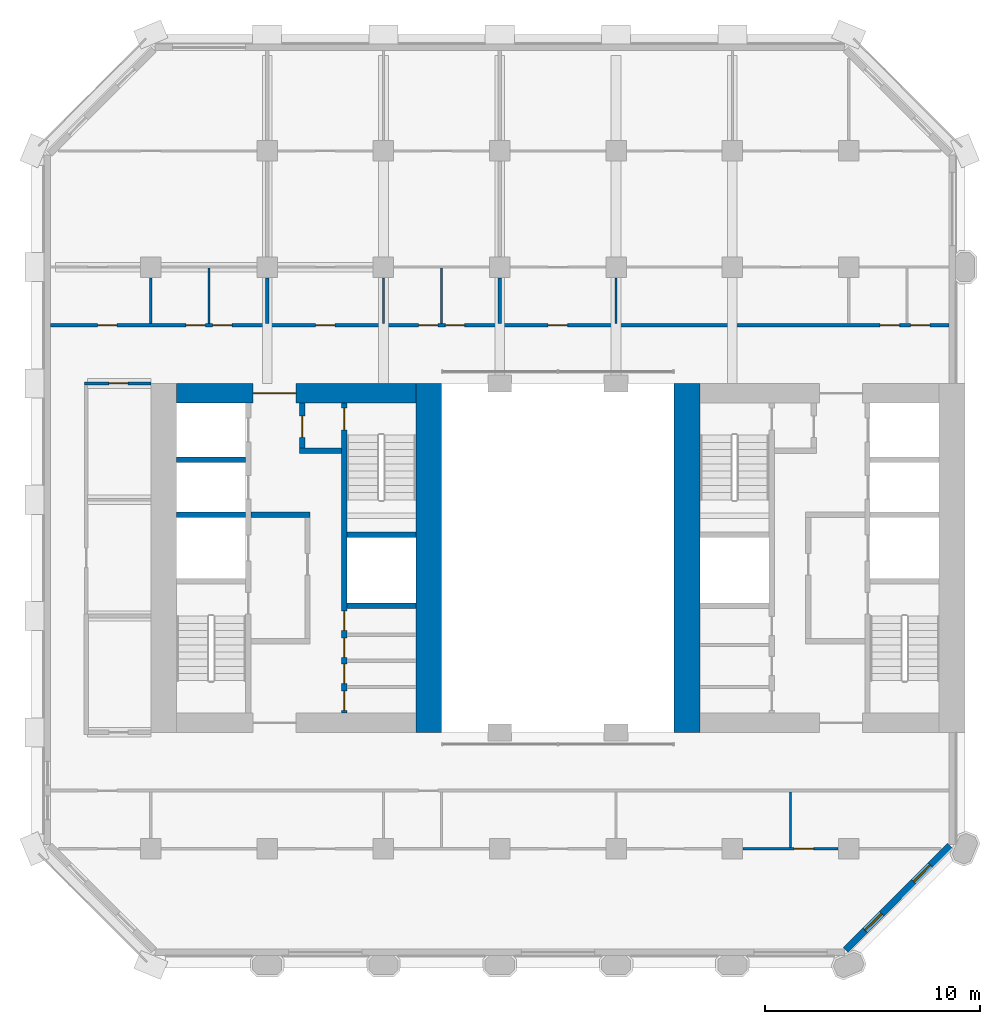
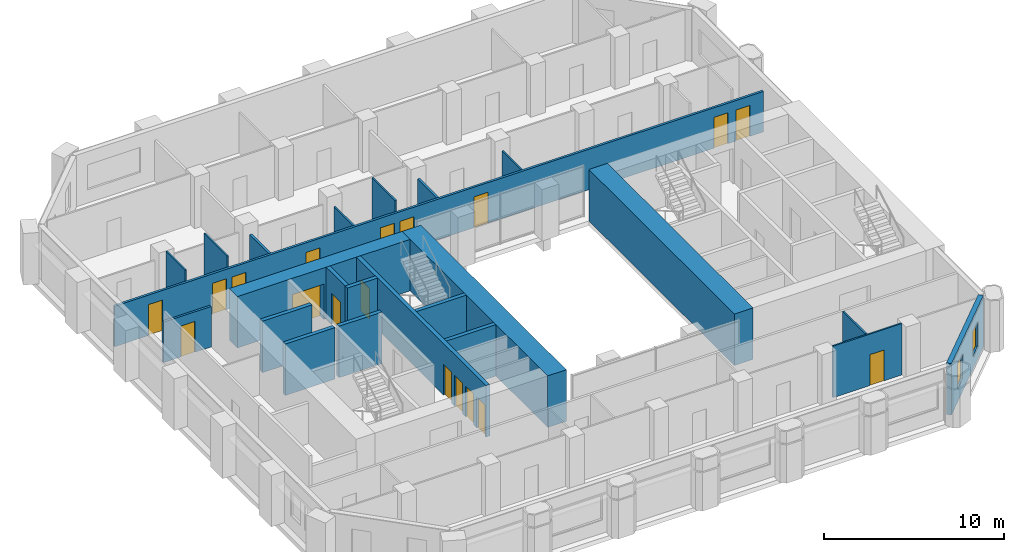
# One storey, part 7 of 12: 23 walls, 18 doors, 2 windows, 20 openings.
"""IFC4 building model written with IfcOpenShell, lengths in metres."""

from ifc_helpers import new_model, si_unit, direction, frame, frame_2d, origin, place, context, subcontext, project, spatial, rectangle, extrude, material, layer, layer_set, type_object, element, fill, save


model = new_model("IFC4")

# Units and contexts
model_context = context("Model", 3, precision=1e-05, world=origin(), true_north=direction((0.0, 1.0)))
body_context = subcontext(model_context, "Body", "Model", "MODEL_VIEW")
ifc_project = project(units=[si_unit("LENGTHUNIT", "METRE"), si_unit("AREAUNIT", "SQUARE_METRE"), si_unit("VOLUMEUNIT", "CUBIC_METRE"), si_unit("PLANEANGLEUNIT", "RADIAN"), si_unit("MASSUNIT", "GRAM", prefix="KILO")], contexts=[model_context])

# Site, building, storey
site_placement = place(None, origin())
site = spatial("IfcSite", under=ifc_project, at=site_placement, CompositionType="ELEMENT")
building_placement = place(site_placement, origin())
building = spatial("IfcBuilding", under=site, at=building_placement, Name="Tabaq Tower and Sports Hall", CompositionType="ELEMENT")
storey_placement = place(building_placement, frame((0.0, 0.0, 99.199951171875)))
storey = spatial("IfcBuildingStorey", under=building, at=storey_placement, Name="L23", CompositionType="ELEMENT", Elevation=99.199951171875)

# Walls
ifc_material_1 = material(Name="Concrete C60/75", Category="concrete")
ifc_layer_1 = layer(ifc_material_1, 1.199951171875)
ifc_layer_set_1 = layer_set([ifc_layer_1], Name="Core wall 1200 Concrete C60/75")
wall_type_1 = type_object("IfcWallType", Name="Core wall 1200 Concrete C60/75", PredefinedType="SOLIDWALL", material=ifc_layer_set_1)
for number, where, z_axis, x_axis, name in (
    (1, (18.300048828125, 32.39990234375, 0.0), (0.0, 0.0, 1.0), (0.0, -1.0, 0.0), "Core wall W L23"),
    (2, (30.300048828125, 16.199951171875, 0.0), (0.0, 0.0, 1.0), (0.0, 1.0, 0.0), "Core wall E L23"),
):
    element("IfcWall", number, at=place(storey_placement, frame(where, z_axis=z_axis, x_axis=x_axis)), inside=storey, type_object=wall_type_1, Name=name, PredefinedType="SOLIDWALL", context=body_context, shape_type="SweptSolid", body=[
        extrude(rectangle(XDim=16.199951171875, YDim=1.199951171875, at=frame_2d((8.10009765625, 0.0))), origin(), (0.0, 0.0, 1.0), 3.5),
    ])

# Wall, opening, door
ifc_material_2 = material(Name="Concrete C60/75", Category="concrete")
ifc_layer_2 = layer(ifc_material_2, 0.89990234375)
ifc_layer_set_2 = layer_set([ifc_layer_2], Name="Core wall 900 Concrete C60/75")
wall_type_2 = type_object("IfcWallType", Name="Core wall 900 Concrete C60/75", PredefinedType="SOLIDWALL", material=ifc_layer_set_2)
wall_1_placement = place(storey_placement, frame((6.60009765625, 31.949951171875, 0.0), z_axis=(0.0, 0.0, 1.0), x_axis=(1.0, 0.0, 0.0)))
wall_1 = element("IfcWall", 3, at=wall_1_placement, inside=storey, type_object=wall_type_2, Name="Core wall W L23", PredefinedType="SOLIDWALL", context=body_context, shape_type="SweptSolid", body=[
    extrude(rectangle(XDim=11.099853515625, YDim=0.89990234375, at=frame_2d((5.5498046875, 0.0))), origin(), (0.0, 0.0, 1.0), 3.5),
])
opening_1_placement = place(wall_1_placement, frame((3.550048828125, 0.0, 0.0)))
opening_1 = element("IfcOpeningElement", 4, at=opening_1_placement, cuts=wall_1, Name="Opening PD-WL23-02", PredefinedType="OPENING", context=body_context, shape_type="SweptSolid", body=[
    extrude(rectangle(XDim=2.0, YDim=2.39990234375, at=frame_2d((1.0, 1.199951171875))), frame((0.0, 0.449951171875, 0.0), z_axis=(0.0, -1.0, 0.0), x_axis=(1.0, 0.0, 0.0)), (0.0, 0.0, 1.0), 0.89990234375),
])
ifc_material_3 = material(Name="Steel fire door", Category="steel")
door_type_1 = type_object("IfcDoorType", Name="Core entrance door 2000", OperationType="DOUBLE_DOOR_SINGLE_SWING", PredefinedType="DOOR", material=ifc_material_3)
door_1_placement = place(opening_1_placement, origin())
door_1 = element("IfcDoor", 5, at=door_1_placement, inside=storey, type_object=door_type_1, Name="Core entrance north W L23", OperationType="DOUBLE_DOOR_SINGLE_SWING", OverallHeight=2.39990234375, OverallWidth=2.0, PredefinedType="DOOR", context=body_context, shape_type="SweptSolid", body=[
    extrude(rectangle(XDim=2.0, YDim=2.39990234375, at=frame_2d((1.0, 1.199951171875))), frame((0.0, 0.02490234375, 0.0), z_axis=(0.0, -1.0, 0.0), x_axis=(1.0, 0.0, 0.0)), (0.0, 0.0, 1.0), 0.050048828125),
])
fill(opening_1, door_1)

# Walls
ifc_material_4 = material(Name="Gypsum board on steel studs", Category="steel")
ifc_layer_3 = layer(ifc_material_4, 0.10009765625)
ifc_layer_set_3 = layer_set([ifc_layer_3], Name="Partition 100 Gypsum board")
wall_type_3 = type_object("IfcWallType", Name="Partition 100 Gypsum board", PredefinedType="PARTITIONING", material=ifc_layer_set_3)
wall_2_placement = place(storey_placement, frame((5.39990234375, 37.304931640625, 0.0), z_axis=(0.0, 0.0, 1.0), x_axis=(0.0, -1.0, 0.0)))
element("IfcWall", 6, at=wall_2_placement, inside=storey, type_object=wall_type_3, Name="Partition wall L23", PredefinedType="PARTITIONING", context=body_context, shape_type="SweptSolid", body=[
    extrude(rectangle(XDim=2.1298828125, YDim=0.10009765625, at=frame_2d((1.06494140625, 0.0))), origin(), (0.0, 0.0, 1.0), 3.5),
])
wall_3_placement = place(storey_placement, frame((8.10009765625, 35.175048828125, 0.0), z_axis=(0.0, 0.0, 1.0), x_axis=(0.0, 1.0, 0.0)))
element("IfcWall", 7, at=wall_3_placement, inside=storey, type_object=wall_type_3, Name="Partition wall L23", PredefinedType="PARTITIONING", context=body_context, shape_type="SweptSolid", body=[
    extrude(rectangle(XDim=2.574951171875, YDim=0.10009765625, at=frame_2d((1.28759765625, 0.0))), origin(), (0.0, 0.0, 1.0), 3.5),
])
wall_4_placement = place(storey_placement, frame((16.199951171875, 35.175048828125, 0.0), z_axis=(0.0, 0.0, 1.0), x_axis=(0.0, 1.0, 0.0)))
element("IfcWall", 8, at=wall_4_placement, inside=storey, type_object=wall_type_3, Name="Partition wall L23", PredefinedType="PARTITIONING", context=body_context, shape_type="SweptSolid", body=[
    extrude(rectangle(XDim=2.1298828125, YDim=0.10009765625, at=frame_2d((1.06494140625, 0.0))), origin(), (0.0, 0.0, 1.0), 2.75),
])
wall_5_placement = place(storey_placement, frame((18.89990234375, 35.175048828125, 0.0), z_axis=(0.0, 0.0, 1.0), x_axis=(0.0, 1.0, 0.0)))
element("IfcWall", 9, at=wall_5_placement, inside=storey, type_object=wall_type_3, Name="Partition wall L23", PredefinedType="PARTITIONING", context=body_context, shape_type="SweptSolid", body=[
    extrude(rectangle(XDim=2.574951171875, YDim=0.10009765625, at=frame_2d((1.28759765625, 0.0))), origin(), (0.0, 0.0, 1.0), 3.5),
])
wall_6_placement = place(storey_placement, frame((27.0, 35.175048828125, 0.0), z_axis=(0.0, 0.0, 1.0), x_axis=(0.0, 1.0, 0.0)))
element("IfcWall", 10, at=wall_6_placement, inside=storey, type_object=wall_type_3, Name="Partition wall L23", PredefinedType="PARTITIONING", context=body_context, shape_type="SweptSolid", body=[
    extrude(rectangle(XDim=2.1298828125, YDim=0.10009765625, at=frame_2d((1.06494140625, 0.0))), origin(), (0.0, 0.0, 1.0), 2.75),
])
wall_7_placement = place(storey_placement, frame((35.10009765625, 10.85009765625, 0.0), z_axis=(0.0, 0.0, 1.0), x_axis=(0.0, 1.0, 0.0)))
element("IfcWall", 11, at=wall_7_placement, inside=storey, type_object=wall_type_3, Name="Partition wall L23", PredefinedType="PARTITIONING", context=body_context, shape_type="SweptSolid", body=[
    extrude(rectangle(XDim=2.574951171875, YDim=0.10009765625, at=frame_2d((1.28759765625, 0.0))), origin(), (0.0, 0.0, 1.0), 3.5),
])

# Wall, opening, door
wall_8_placement = place(storey_placement, frame((32.89501953125, 10.800048828125, 0.0), z_axis=(0.0, 0.0, 1.0), x_axis=(1.0, 0.0, 0.0)))
wall_8 = element("IfcWall", 12, at=wall_8_placement, inside=storey, type_object=wall_type_3, Name="Partition wall L23", PredefinedType="PARTITIONING", context=body_context, shape_type="SweptSolid", body=[
    extrude(rectangle(XDim=4.409912109375, YDim=0.10009765625, at=frame_2d((2.205078125, 0.0))), origin(), (0.0, 0.0, 1.0), 3.5),
])
opening_2_placement = place(wall_8_placement, frame((2.375, 0.0, 0.0)))
opening_2 = element("IfcOpeningElement", 13, at=opening_2_placement, cuts=wall_8, Name="Opening L23-021", PredefinedType="OPENING", context=body_context, shape_type="SweptSolid", body=[
    extrude(rectangle(XDim=0.89990234375, YDim=2.10009765625, at=frame_2d((0.449951171875, 1.050048828125))), frame((0.0, 0.050048828125, 0.0), z_axis=(0.0, -1.0, 0.0), x_axis=(1.0, 0.0, 0.0)), (0.0, 0.0, 1.0), 0.10009765625),
])
ifc_material_5 = material(Name="Timber leaf in steel frame", Category="steel")
door_type_2 = type_object("IfcDoorType", Name="Internal door 900 right hand", OperationType="SINGLE_SWING_RIGHT", PredefinedType="DOOR", material=ifc_material_5)
door_2_placement = place(opening_2_placement, origin())
door_2 = element("IfcDoor", 14, at=door_2_placement, inside=storey, type_object=door_type_2, Name="Internal door L23-021", OperationType="SINGLE_SWING_RIGHT", OverallHeight=2.10009765625, OverallWidth=0.89990234375, PredefinedType="DOOR", context=body_context, shape_type="SweptSolid", body=[
    extrude(rectangle(XDim=0.89990234375, YDim=2.10009765625, at=frame_2d((0.449951171875, 1.050048828125))), frame((0.0, 0.02490234375, 0.0), z_axis=(0.0, -1.0, 0.0), x_axis=(1.0, 0.0, 0.0)), (0.0, 0.0, 1.0), 0.050048828125),
])
fill(opening_2, door_2)

ifc_material_6 = material(Name="Blockwork", Category="masonry")
ifc_layer_4 = layer(ifc_material_6, 0.14990234375)
ifc_layer_set_4 = layer_set([ifc_layer_4], Name="Separating wall 150 Blockwork")
wall_type_4 = type_object("IfcWallType", Name="Separating wall 150 Blockwork", PredefinedType="PARTITIONING", material=ifc_layer_set_4)
wall_9_placement = place(storey_placement, frame((5.39990234375, 32.39990234375, 0.0), z_axis=(0.0, 0.0, 1.0), x_axis=(-1.0, 0.0, 0.0)))
wall_9 = element("IfcWall", 15, at=wall_9_placement, inside=storey, type_object=wall_type_4, Name="Separating wall L23", PredefinedType="PARTITIONING", context=body_context, shape_type="SweptSolid", body=[
    extrude(rectangle(XDim=3.074951171875, YDim=0.14990234375, at=frame_2d((1.53759765625, 0.0))), origin(), (0.0, 0.0, 1.0), 2.75),
])
opening_3_placement = place(wall_9_placement, frame((1.050048828125, 0.0, 0.0)))
opening_3 = element("IfcOpeningElement", 16, at=opening_3_placement, cuts=wall_9, Name="Opening L23-010", PredefinedType="OPENING", context=body_context, shape_type="SweptSolid", body=[
    extrude(rectangle(XDim=0.89990234375, YDim=2.10009765625, at=frame_2d((0.449951171875, 1.050048828125))), frame((0.0, 0.074951171875, 0.0), z_axis=(0.0, -1.0, 0.0), x_axis=(1.0, 0.0, 0.0)), (0.0, 0.0, 1.0), 0.14990234375),
])
door_3_placement = place(opening_3_placement, origin())
door_3 = element("IfcDoor", 17, at=door_3_placement, inside=storey, type_object=door_type_2, Name="Internal door L23-010", OperationType="SINGLE_SWING_RIGHT", OverallHeight=2.10009765625, OverallWidth=0.89990234375, PredefinedType="DOOR", context=body_context, shape_type="SweptSolid", body=[
    extrude(rectangle(XDim=0.89990234375, YDim=2.10009765625, at=frame_2d((0.449951171875, 1.050048828125))), frame((0.0, 0.02490234375, 0.0), z_axis=(0.0, -1.0, 0.0), x_axis=(1.0, 0.0, 0.0)), (0.0, 0.0, 1.0), 0.050048828125),
])
fill(opening_3, door_3)

# Wall, openings, doors
wall_10_placement = place(storey_placement, frame((0.7509765625, 35.10009765625, 0.0), z_axis=(0.0, 0.0, 1.0), x_axis=(1.0, 0.0, 0.0)))
wall_10 = element("IfcWall", 18, at=wall_10_placement, inside=storey, type_object=wall_type_4, Name="Separating wall L23", PredefinedType="PARTITIONING", context=body_context, shape_type="SweptSolid", body=[
    extrude(rectangle(XDim=41.697998046875, YDim=0.14990234375, at=frame_2d((20.84912109375, 0.0))), origin(), (0.0, 0.0, 1.0), 2.75),
])
opening_4_placement = place(wall_10_placement, frame((6.279052734375, 0.0, 0.0)))
opening_4 = element("IfcOpeningElement", 19, at=opening_4_placement, cuts=wall_10, Name="Opening L23-001", PredefinedType="OPENING", context=body_context, shape_type="SweptSolid", body=[
    extrude(rectangle(XDim=0.89990234375, YDim=2.10009765625, at=frame_2d((0.449951171875, 1.050048828125))), frame((0.0, 0.074951171875, 0.0), z_axis=(0.0, -1.0, 0.0), x_axis=(1.0, 0.0, 0.0)), (0.0, 0.0, 1.0), 0.14990234375),
])
opening_5_placement = place(wall_10_placement, frame((7.51904296875, 0.0, 0.0)))
opening_5 = element("IfcOpeningElement", 20, at=opening_5_placement, cuts=wall_10, Name="Opening L23-002", PredefinedType="OPENING", context=body_context, shape_type="SweptSolid", body=[
    extrude(rectangle(XDim=0.89990234375, YDim=2.10009765625, at=frame_2d((0.449951171875, 1.050048828125))), frame((0.0, 0.074951171875, 0.0), z_axis=(0.0, -1.0, 0.0), x_axis=(1.0, 0.0, 0.0)), (0.0, 0.0, 1.0), 0.14990234375),
])
opening_6_placement = place(wall_10_placement, frame((17.0791015625, 0.0, 0.0)))
opening_6 = element("IfcOpeningElement", 21, at=opening_6_placement, cuts=wall_10, Name="Opening L23-003", PredefinedType="OPENING", context=body_context, shape_type="SweptSolid", body=[
    extrude(rectangle(XDim=0.89990234375, YDim=2.10009765625, at=frame_2d((0.449951171875, 1.050048828125))), frame((0.0, 0.074951171875, 0.0), z_axis=(0.0, -1.0, 0.0), x_axis=(1.0, 0.0, 0.0)), (0.0, 0.0, 1.0), 0.14990234375),
])
opening_7_placement = place(wall_10_placement, frame((18.319091796875, 0.0, 0.0)))
opening_7 = element("IfcOpeningElement", 22, at=opening_7_placement, cuts=wall_10, Name="Opening L23-004", PredefinedType="OPENING", context=body_context, shape_type="SweptSolid", body=[
    extrude(rectangle(XDim=0.89990234375, YDim=2.10009765625, at=frame_2d((0.449951171875, 1.050048828125))), frame((0.0, 0.074951171875, 0.0), z_axis=(0.0, -1.0, 0.0), x_axis=(1.0, 0.0, 0.0)), (0.0, 0.0, 1.0), 0.14990234375),
])
opening_8_placement = place(wall_10_placement, frame((38.511474609375, 0.0, 0.0)))
opening_8 = element("IfcOpeningElement", 23, at=opening_8_placement, cuts=wall_10, Name="Opening L23-005", PredefinedType="OPENING", context=body_context, shape_type="SweptSolid", body=[
    extrude(rectangle(XDim=0.89990234375, YDim=2.10009765625, at=frame_2d((0.449951171875, 1.050048828125))), frame((0.0, 0.074951171875, 0.0), z_axis=(0.0, -1.0, 0.0), x_axis=(1.0, 0.0, 0.0)), (0.0, 0.0, 1.0), 0.14990234375),
])
opening_9_placement = place(wall_10_placement, frame((39.9189453125, 0.0, 0.0)))
opening_9 = element("IfcOpeningElement", 24, at=opening_9_placement, cuts=wall_10, Name="Opening L23-006", PredefinedType="OPENING", context=body_context, shape_type="SweptSolid", body=[
    extrude(rectangle(XDim=0.89990234375, YDim=2.10009765625, at=frame_2d((0.449951171875, 1.050048828125))), frame((0.0, 0.074951171875, 0.0), z_axis=(0.0, -1.0, 0.0), x_axis=(1.0, 0.0, 0.0)), (0.0, 0.0, 1.0), 0.14990234375),
])
opening_10_placement = place(wall_10_placement, frame((2.173583984375, 0.0, 0.0)))
opening_10 = element("IfcOpeningElement", 25, at=opening_10_placement, cuts=wall_10, Name="Opening L23-022", PredefinedType="OPENING", context=body_context, shape_type="SweptSolid", body=[
    extrude(rectangle(XDim=0.89990234375, YDim=2.10009765625, at=frame_2d((0.449951171875, 1.050048828125))), frame((0.0, 0.074951171875, 0.0), z_axis=(0.0, -1.0, 0.0), x_axis=(1.0, 0.0, 0.0)), (0.0, 0.0, 1.0), 0.14990234375),
])
opening_11_placement = place(wall_10_placement, frame((12.299072265625, 0.0, 0.0)))
opening_11 = element("IfcOpeningElement", 26, at=opening_11_placement, cuts=wall_10, Name="Opening L23-023", PredefinedType="OPENING", context=body_context, shape_type="SweptSolid", body=[
    extrude(rectangle(XDim=0.89990234375, YDim=2.10009765625, at=frame_2d((0.449951171875, 1.050048828125))), frame((0.0, 0.074951171875, 0.0), z_axis=(0.0, -1.0, 0.0), x_axis=(1.0, 0.0, 0.0)), (0.0, 0.0, 1.0), 0.14990234375),
])
opening_12_placement = place(wall_10_placement, frame((23.09912109375, 0.0, 0.0)))
opening_12 = element("IfcOpeningElement", 27, at=opening_12_placement, cuts=wall_10, Name="Opening L23-024", PredefinedType="OPENING", context=body_context, shape_type="SweptSolid", body=[
    extrude(rectangle(XDim=0.89990234375, YDim=2.10009765625, at=frame_2d((0.449951171875, 1.050048828125))), frame((0.0, 0.074951171875, 0.0), z_axis=(0.0, -1.0, 0.0), x_axis=(1.0, 0.0, 0.0)), (0.0, 0.0, 1.0), 0.14990234375),
])
ifc_material_7 = material(Name="Steel fire door", Category="steel")
door_type_3 = type_object("IfcDoorType", Name="Entrance door 900 left hand", OperationType="SINGLE_SWING_LEFT", PredefinedType="DOOR", material=ifc_material_7)
door_4_placement = place(opening_4_placement, origin())
door_4 = element("IfcDoor", 28, at=door_4_placement, inside=storey, type_object=door_type_3, Name="Entrance door L23-001", OperationType="SINGLE_SWING_LEFT", OverallHeight=2.10009765625, OverallWidth=0.89990234375, PredefinedType="DOOR", context=body_context, shape_type="SweptSolid", body=[
    extrude(rectangle(XDim=0.89990234375, YDim=2.10009765625, at=frame_2d((0.449951171875, 1.050048828125))), frame((0.0, 0.02490234375, 0.0), z_axis=(0.0, -1.0, 0.0), x_axis=(1.0, 0.0, 0.0)), (0.0, 0.0, 1.0), 0.050048828125),
])
fill(opening_4, door_4)
door_5_placement = place(opening_5_placement, origin())
door_5 = element("IfcDoor", 29, at=door_5_placement, inside=storey, type_object=door_type_3, Name="Entrance door L23-002", OperationType="SINGLE_SWING_LEFT", OverallHeight=2.10009765625, OverallWidth=0.89990234375, PredefinedType="DOOR", context=body_context, shape_type="SweptSolid", body=[
    extrude(rectangle(XDim=0.89990234375, YDim=2.10009765625, at=frame_2d((0.449951171875, 1.050048828125))), frame((0.0, 0.02490234375, 0.0), z_axis=(0.0, -1.0, 0.0), x_axis=(1.0, 0.0, 0.0)), (0.0, 0.0, 1.0), 0.050048828125),
])
fill(opening_5, door_5)
door_6_placement = place(opening_6_placement, origin())
door_6 = element("IfcDoor", 30, at=door_6_placement, inside=storey, type_object=door_type_3, Name="Entrance door L23-003", OperationType="SINGLE_SWING_LEFT", OverallHeight=2.10009765625, OverallWidth=0.89990234375, PredefinedType="DOOR", context=body_context, shape_type="SweptSolid", body=[
    extrude(rectangle(XDim=0.89990234375, YDim=2.10009765625, at=frame_2d((0.449951171875, 1.050048828125))), frame((0.0, 0.02490234375, 0.0), z_axis=(0.0, -1.0, 0.0), x_axis=(1.0, 0.0, 0.0)), (0.0, 0.0, 1.0), 0.050048828125),
])
fill(opening_6, door_6)
door_7_placement = place(opening_7_placement, origin())
door_7 = element("IfcDoor", 31, at=door_7_placement, inside=storey, type_object=door_type_3, Name="Entrance door L23-004", OperationType="SINGLE_SWING_LEFT", OverallHeight=2.10009765625, OverallWidth=0.89990234375, PredefinedType="DOOR", context=body_context, shape_type="SweptSolid", body=[
    extrude(rectangle(XDim=0.89990234375, YDim=2.10009765625, at=frame_2d((0.449951171875, 1.050048828125))), frame((0.0, 0.02490234375, 0.0), z_axis=(0.0, -1.0, 0.0), x_axis=(1.0, 0.0, 0.0)), (0.0, 0.0, 1.0), 0.050048828125),
])
fill(opening_7, door_7)
door_8_placement = place(opening_8_placement, origin())
door_8 = element("IfcDoor", 32, at=door_8_placement, inside=storey, type_object=door_type_3, Name="Entrance door L23-005", OperationType="SINGLE_SWING_LEFT", OverallHeight=2.10009765625, OverallWidth=0.89990234375, PredefinedType="DOOR", context=body_context, shape_type="SweptSolid", body=[
    extrude(rectangle(XDim=0.89990234375, YDim=2.10009765625, at=frame_2d((0.449951171875, 1.050048828125))), frame((0.0, 0.02490234375, 0.0), z_axis=(0.0, -1.0, 0.0), x_axis=(1.0, 0.0, 0.0)), (0.0, 0.0, 1.0), 0.050048828125),
])
fill(opening_8, door_8)
door_9_placement = place(opening_9_placement, origin())
door_9 = element("IfcDoor", 33, at=door_9_placement, inside=storey, type_object=door_type_3, Name="Entrance door L23-006", OperationType="SINGLE_SWING_LEFT", OverallHeight=2.10009765625, OverallWidth=0.89990234375, PredefinedType="DOOR", context=body_context, shape_type="SweptSolid", body=[
    extrude(rectangle(XDim=0.89990234375, YDim=2.10009765625, at=frame_2d((0.449951171875, 1.050048828125))), frame((0.0, 0.02490234375, 0.0), z_axis=(0.0, -1.0, 0.0), x_axis=(1.0, 0.0, 0.0)), (0.0, 0.0, 1.0), 0.050048828125),
])
fill(opening_9, door_9)
door_10_placement = place(opening_10_placement, origin())
door_10 = element("IfcDoor", 34, at=door_10_placement, inside=storey, type_object=door_type_3, Name="Entrance door L23-022", OperationType="SINGLE_SWING_LEFT", OverallHeight=2.10009765625, OverallWidth=0.89990234375, PredefinedType="DOOR", context=body_context, shape_type="SweptSolid", body=[
    extrude(rectangle(XDim=0.89990234375, YDim=2.10009765625, at=frame_2d((0.449951171875, 1.050048828125))), frame((0.0, 0.02490234375, 0.0), z_axis=(0.0, -1.0, 0.0), x_axis=(1.0, 0.0, 0.0)), (0.0, 0.0, 1.0), 0.050048828125),
])
fill(opening_10, door_10)
door_11_placement = place(opening_11_placement, origin())
door_11 = element("IfcDoor", 35, at=door_11_placement, inside=storey, type_object=door_type_3, Name="Entrance door L23-023", OperationType="SINGLE_SWING_LEFT", OverallHeight=2.10009765625, OverallWidth=0.89990234375, PredefinedType="DOOR", context=body_context, shape_type="SweptSolid", body=[
    extrude(rectangle(XDim=0.89990234375, YDim=2.10009765625, at=frame_2d((0.449951171875, 1.050048828125))), frame((0.0, 0.02490234375, 0.0), z_axis=(0.0, -1.0, 0.0), x_axis=(1.0, 0.0, 0.0)), (0.0, 0.0, 1.0), 0.050048828125),
])
fill(opening_11, door_11)
door_12_placement = place(opening_12_placement, origin())
door_12 = element("IfcDoor", 36, at=door_12_placement, inside=storey, type_object=door_type_3, Name="Entrance door L23-024", OperationType="SINGLE_SWING_LEFT", OverallHeight=2.10009765625, OverallWidth=0.89990234375, PredefinedType="DOOR", context=body_context, shape_type="SweptSolid", body=[
    extrude(rectangle(XDim=0.89990234375, YDim=2.10009765625, at=frame_2d((0.449951171875, 1.050048828125))), frame((0.0, 0.02490234375, 0.0), z_axis=(0.0, -1.0, 0.0), x_axis=(1.0, 0.0, 0.0)), (0.0, 0.0, 1.0), 0.050048828125),
])
fill(opening_12, door_12)

# Walls
for number, where, z_axis, x_axis, name in (
    (37, (10.800048828125, 35.175048828125, 0.0), (0.0, 0.0, 1.0), (0.0, 1.0, 0.0), "Separating wall L23"),
    (38, (21.60009765625, 35.175048828125, 0.0), (0.0, 0.0, 1.0), (0.0, 1.0, 0.0), "Separating wall L23"),
):
    element("IfcWall", number, at=place(storey_placement, frame(where, z_axis=z_axis, x_axis=x_axis)), inside=storey, type_object=wall_type_4, Name=name, PredefinedType="PARTITIONING", context=body_context, shape_type="SweptSolid", body=[
        extrude(rectangle(XDim=2.1298828125, YDim=0.14990234375, at=frame_2d((1.06494140625, 0.0))), origin(), (0.0, 0.0, 1.0), 2.75),
    ])

# Wall, openings, doors
ifc_material_8 = material(Name="Concrete C40/50", Category="concrete")
ifc_layer_5 = layer(ifc_material_8, 0.25)
ifc_layer_set_5 = layer_set([ifc_layer_5], Name="Shaft and stair wall 250 Concrete C40/50")
wall_type_5 = type_object("IfcWallType", Name="Shaft and stair wall 250 Concrete C40/50", PredefinedType="SOLIDWALL", material=ifc_layer_set_5)
wall_11_placement = place(storey_placement, frame((14.375, 17.10009765625, 0.0), z_axis=(0.0, 0.0, 1.0), x_axis=(0.0, 1.0, 0.0)))
wall_11 = element("IfcWall", 39, at=wall_11_placement, inside=storey, type_object=wall_type_5, Name="Shaft wall W L23", PredefinedType="SOLIDWALL", context=body_context, shape_type="SweptSolid", body=[
    extrude(rectangle(XDim=14.39990234375, YDim=0.25, at=frame_2d((7.199951171875, 0.0))), origin(), (0.0, 0.0, 1.0), 3.5),
])
opening_13_placement = place(wall_11_placement, frame((13.14990234375, 0.0, 0.0)))
opening_13 = element("IfcOpeningElement", 40, at=opening_13_placement, cuts=wall_11, Name="Opening SD-WL23-05", PredefinedType="OPENING", context=body_context, shape_type="SweptSolid", body=[
    extrude(rectangle(XDim=1.0, YDim=2.10009765625, at=frame_2d((0.5, 1.050048828125))), frame((0.0, 0.125, 0.0), z_axis=(0.0, -1.0, 0.0), x_axis=(1.0, 0.0, 0.0)), (0.0, 0.0, 1.0), 0.25),
])
opening_14_placement = place(wall_11_placement, frame((0.118408203125, 0.0, 0.0)))
opening_14 = element("IfcOpeningElement", 41, at=opening_14_placement, cuts=wall_11, Name="Opening RD-WL23-10", PredefinedType="OPENING", context=body_context, shape_type="SweptSolid", body=[
    extrude(rectangle(XDim=0.89990234375, YDim=2.10009765625, at=frame_2d((0.449951171875, 1.050048828125))), frame((0.0, 0.125, 0.0), z_axis=(0.0, -1.0, 0.0), x_axis=(1.0, 0.0, 0.0)), (0.0, 0.0, 1.0), 0.25),
])
opening_15_placement = place(wall_11_placement, frame((1.368408203125, 0.0, 0.0)))
opening_15 = element("IfcOpeningElement", 42, at=opening_15_placement, cuts=wall_11, Name="Opening RD-WL23-11", PredefinedType="OPENING", context=body_context, shape_type="SweptSolid", body=[
    extrude(rectangle(XDim=0.89990234375, YDim=2.10009765625, at=frame_2d((0.449951171875, 1.050048828125))), frame((0.0, 0.125, 0.0), z_axis=(0.0, -1.0, 0.0), x_axis=(1.0, 0.0, 0.0)), (0.0, 0.0, 1.0), 0.25),
])
opening_16_placement = place(wall_11_placement, frame((2.5810546875, 0.0, 0.0)))
opening_16 = element("IfcOpeningElement", 43, at=opening_16_placement, cuts=wall_11, Name="Opening RD-WL23-12", PredefinedType="OPENING", context=body_context, shape_type="SweptSolid", body=[
    extrude(rectangle(XDim=0.89990234375, YDim=2.10009765625, at=frame_2d((0.449951171875, 1.050048828125))), frame((0.0, 0.125, 0.0), z_axis=(0.0, -1.0, 0.0), x_axis=(1.0, 0.0, 0.0)), (0.0, 0.0, 1.0), 0.25),
])
opening_17_placement = place(wall_11_placement, frame((3.8310546875, 0.0, 0.0)))
opening_17 = element("IfcOpeningElement", 44, at=opening_17_placement, cuts=wall_11, Name="Opening RD-WL23-13", PredefinedType="OPENING", context=body_context, shape_type="SweptSolid", body=[
    extrude(rectangle(XDim=0.89990234375, YDim=2.10009765625, at=frame_2d((0.449951171875, 1.050048828125))), frame((0.0, 0.125, 0.0), z_axis=(0.0, -1.0, 0.0), x_axis=(1.0, 0.0, 0.0)), (0.0, 0.0, 1.0), 0.25),
])
ifc_material_9 = material(Name="Steel fire door", Category="steel")
door_type_4 = type_object("IfcDoorType", Name="Core room door 900", OperationType="SINGLE_SWING_LEFT", PredefinedType="DOOR", material=ifc_material_9)
door_13_placement = place(opening_14_placement, origin())
door_13 = element("IfcDoor", 45, at=door_13_placement, inside=storey, type_object=door_type_4, Name="Door Cleaner's Store W L23", OperationType="SINGLE_SWING_LEFT", OverallHeight=2.10009765625, OverallWidth=0.89990234375, PredefinedType="DOOR", context=body_context, shape_type="SweptSolid", body=[
    extrude(rectangle(XDim=0.89990234375, YDim=2.10009765625, at=frame_2d((0.449951171875, 1.050048828125))), frame((0.0, 0.02490234375, 0.0), z_axis=(0.0, -1.0, 0.0), x_axis=(1.0, 0.0, 0.0)), (0.0, 0.0, 1.0), 0.050048828125),
])
fill(opening_14, door_13)
door_14_placement = place(opening_15_placement, origin())
door_14 = element("IfcDoor", 46, at=door_14_placement, inside=storey, type_object=door_type_4, Name="Door Gents WC W L23", OperationType="SINGLE_SWING_LEFT", OverallHeight=2.10009765625, OverallWidth=0.89990234375, PredefinedType="DOOR", context=body_context, shape_type="SweptSolid", body=[
    extrude(rectangle(XDim=0.89990234375, YDim=2.10009765625, at=frame_2d((0.449951171875, 1.050048828125))), frame((0.0, 0.02490234375, 0.0), z_axis=(0.0, -1.0, 0.0), x_axis=(1.0, 0.0, 0.0)), (0.0, 0.0, 1.0), 0.050048828125),
])
fill(opening_15, door_14)
door_15_placement = place(opening_16_placement, origin())
door_15 = element("IfcDoor", 47, at=door_15_placement, inside=storey, type_object=door_type_4, Name="Door Ladies WC W L23", OperationType="SINGLE_SWING_LEFT", OverallHeight=2.10009765625, OverallWidth=0.89990234375, PredefinedType="DOOR", context=body_context, shape_type="SweptSolid", body=[
    extrude(rectangle(XDim=0.89990234375, YDim=2.10009765625, at=frame_2d((0.449951171875, 1.050048828125))), frame((0.0, 0.02490234375, 0.0), z_axis=(0.0, -1.0, 0.0), x_axis=(1.0, 0.0, 0.0)), (0.0, 0.0, 1.0), 0.050048828125),
])
fill(opening_16, door_15)
door_16_placement = place(opening_17_placement, origin())
door_16 = element("IfcDoor", 48, at=door_16_placement, inside=storey, type_object=door_type_4, Name="Door Accessible WC W L23", OperationType="SINGLE_SWING_LEFT", OverallHeight=2.10009765625, OverallWidth=0.89990234375, PredefinedType="DOOR", context=body_context, shape_type="SweptSolid", body=[
    extrude(rectangle(XDim=0.89990234375, YDim=2.10009765625, at=frame_2d((0.449951171875, 1.050048828125))), frame((0.0, 0.02490234375, 0.0), z_axis=(0.0, -1.0, 0.0), x_axis=(1.0, 0.0, 0.0)), (0.0, 0.0, 1.0), 0.050048828125),
])
fill(opening_17, door_16)
ifc_material_10 = material(Name="Steel fire door", Category="steel")
door_type_5 = type_object("IfcDoorType", Name="Stair door 1000", OperationType="SINGLE_SWING_LEFT", PredefinedType="DOOR", material=ifc_material_10)
door_17_placement = place(opening_13_placement, origin())
door_17 = element("IfcDoor", 49, at=door_17_placement, inside=storey, type_object=door_type_5, Name="Stair door ST2 W L23", OperationType="SINGLE_SWING_LEFT", OverallHeight=2.10009765625, OverallWidth=1.0, PredefinedType="DOOR", context=body_context, shape_type="SweptSolid", body=[
    extrude(rectangle(XDim=1.0, YDim=2.10009765625, at=frame_2d((0.5, 1.050048828125))), frame((0.0, 0.02490234375, 0.0), z_axis=(0.0, -1.0, 0.0), x_axis=(1.0, 0.0, 0.0)), (0.0, 0.0, 1.0), 0.050048828125),
])
fill(opening_13, door_17)

# Walls
for number, where, z_axis, x_axis, name in (
    (50, (14.5, 25.375, 0.0), (0.0, 0.0, 1.0), (1.0, 0.0, 0.0), "Stair enclosure wall W L23"),
    (51, (14.5, 22.074951171875, 0.0), (0.0, 0.0, 1.0), (1.0, 0.0, 0.0), "Shaft wall W L23"),
    (52, (6.60009765625, 26.300048828125, 0.0), (0.0, 0.0, 1.0), (1.0, 0.0, 0.0), "Shaft wall W L23"),
):
    element("IfcWall", number, at=place(storey_placement, frame(where, z_axis=z_axis, x_axis=x_axis)), inside=storey, type_object=wall_type_5, Name=name, PredefinedType="SOLIDWALL", context=body_context, shape_type="SweptSolid", body=[
        extrude(rectangle(XDim=3.199951171875, YDim=0.25, at=frame_2d((1.60009765625, 0.0))), origin(), (0.0, 0.0, 1.0), 3.5),
    ])
wall_12_placement = place(storey_placement, frame((10.050048828125, 26.300048828125, 0.0), z_axis=(0.0, 0.0, 1.0), x_axis=(1.0, 0.0, 0.0)))
element("IfcWall", 53, at=wall_12_placement, inside=storey, type_object=wall_type_5, Name="Fire-fighting lobby wall W L23", PredefinedType="SOLIDWALL", context=body_context, shape_type="SweptSolid", body=[
    extrude(rectangle(XDim=2.75, YDim=0.25, at=frame_2d((1.375, 0.0))), origin(), (0.0, 0.0, 1.0), 3.5),
])

# Wall, opening, door
wall_13_placement = place(storey_placement, frame((12.425048828125, 29.39990234375, 0.0), z_axis=(0.0, 0.0, 1.0), x_axis=(0.0, 1.0, 0.0)))
wall_13 = element("IfcWall", 54, at=wall_13_placement, inside=storey, type_object=wall_type_5, Name="Fire-fighting lobby wall W L23", PredefinedType="SOLIDWALL", context=body_context, shape_type="SweptSolid", body=[
    extrude(rectangle(XDim=2.10009765625, YDim=0.25, at=frame_2d((1.050048828125, 0.0))), origin(), (0.0, 0.0, 1.0), 3.5),
])
opening_18_placement = place(wall_13_placement, frame((0.5, 0.0, 0.0)))
opening_18 = element("IfcOpeningElement", 55, at=opening_18_placement, cuts=wall_13, Name="Opening FD-WL23-06", PredefinedType="OPENING", context=body_context, shape_type="SweptSolid", body=[
    extrude(rectangle(XDim=1.0, YDim=2.10009765625, at=frame_2d((0.5, 1.050048828125))), frame((0.0, 0.125, 0.0), z_axis=(0.0, -1.0, 0.0), x_axis=(1.0, 0.0, 0.0)), (0.0, 0.0, 1.0), 0.25),
])
ifc_material_11 = material(Name="Steel fire door", Category="steel")
door_type_6 = type_object("IfcDoorType", Name="Fire-fighting lobby door 1000", OperationType="SINGLE_SWING_LEFT", PredefinedType="DOOR", material=ifc_material_11)
door_18_placement = place(opening_18_placement, origin())
door_18 = element("IfcDoor", 56, at=door_18_placement, inside=storey, type_object=door_type_6, Name="Stair lobby door W L23", OperationType="SINGLE_SWING_LEFT", OverallHeight=2.10009765625, OverallWidth=1.0, PredefinedType="DOOR", context=body_context, shape_type="SweptSolid", body=[
    extrude(rectangle(XDim=1.0, YDim=2.10009765625, at=frame_2d((0.5, 1.050048828125))), frame((0.0, 0.02490234375, 0.0), z_axis=(0.0, -1.0, 0.0), x_axis=(1.0, 0.0, 0.0)), (0.0, 0.0, 1.0), 0.050048828125),
])
fill(opening_18, door_18)

# Walls
wall_14_placement = place(storey_placement, frame((12.300048828125, 29.27490234375, 0.0), z_axis=(0.0, 0.0, 1.0), x_axis=(1.0, 0.0, 0.0)))
element("IfcWall", 57, at=wall_14_placement, inside=storey, type_object=wall_type_5, Name="Fire-fighting lobby wall W L23", PredefinedType="SOLIDWALL", context=body_context, shape_type="SweptSolid", body=[
    extrude(rectangle(XDim=1.949951171875, YDim=0.25, at=frame_2d((0.97509765625, 0.0))), origin(), (0.0, 0.0, 1.0), 3.5),
])
wall_15_placement = place(storey_placement, frame((6.60009765625, 28.85009765625, 0.0), z_axis=(0.0, 0.0, 1.0), x_axis=(1.0, 0.0, 0.0)))
element("IfcWall", 58, at=wall_15_placement, inside=storey, type_object=wall_type_5, Name="Shaft wall W L23", PredefinedType="SOLIDWALL", context=body_context, shape_type="SweptSolid", body=[
    extrude(rectangle(XDim=3.199951171875, YDim=0.25, at=frame_2d((1.60009765625, 0.0))), origin(), (0.0, 0.0, 1.0), 3.5),
])

# Wall, openings, windows
ifc_material_12 = material(Name="White precast concrete C60/75", Category="concrete")
ifc_layer_6 = layer(ifc_material_12, 0.300048828125)
ifc_layer_set_6 = layer_set([ifc_layer_6], Name="White precast concrete C60/75 external wall 300")
wall_type_6 = type_object("IfcWallType", Name="White precast concrete C60/75 external wall 300", PredefinedType="SOLIDWALL", material=ifc_layer_set_6)
wall_16_placement = place(storey_placement, frame((37.650390625, 6.098876953125, 0.0), z_axis=(0.0, 0.0, 1.0), x_axis=(0.707106781187, 0.707106781187, 0.0)))
wall_16 = element("IfcWall", 59, at=wall_16_placement, inside=storey, type_object=wall_type_6, Name="External Wall L23 SE", PredefinedType="SOLIDWALL", context=body_context, shape_type="SweptSolid", body=[
    extrude(rectangle(XDim=6.85986328125, YDim=0.300048828125, at=frame_2d((3.429931640625, 0.0))), origin(), (0.0, 0.0, 1.0), 3.5),
])
opening_19_placement = place(wall_16_placement, frame((1.27978515625, 0.0, 0.89990234375)))
opening_19 = element("IfcOpeningElement", 60, at=opening_19_placement, cuts=wall_16, Name="Opening W1B", PredefinedType="OPENING", context=body_context, shape_type="SweptSolid", body=[
    extrude(rectangle(XDim=1.10009765625, YDim=1.699951171875, at=frame_2d((0.550048828125, 0.85009765625))), frame((0.0, 0.16015625, 0.0), z_axis=(0.0, -1.0, 0.0), x_axis=(1.0, 0.0, 0.0)), (0.0, 0.0, 1.0), 0.320068359375),
])
opening_20_placement = place(wall_16_placement, frame((4.479736328125, 0.0, 0.89990234375)))
opening_20 = element("IfcOpeningElement", 61, at=opening_20_placement, cuts=wall_16, Name="Opening W1B", PredefinedType="OPENING", context=body_context, shape_type="SweptSolid", body=[
    extrude(rectangle(XDim=1.10009765625, YDim=1.699951171875, at=frame_2d((0.550048828125, 0.85009765625))), frame((0.0, 0.16015625, 0.0), z_axis=(0.0, -1.0, 0.0), x_axis=(1.0, 0.0, 0.0)), (0.0, 0.0, 1.0), 0.320068359375),
])
ifc_material_13 = material(Name="Aluminium framed clear glazing", Category="aluminium")
window_type = type_object("IfcWindowType", Name="Window W1B", PartitioningType="SINGLE_PANEL", PredefinedType="WINDOW", material=ifc_material_13)
window_1_placement = place(opening_19_placement, origin())
window_1 = element("IfcWindow", 62, at=window_1_placement, inside=storey, type_object=window_type, Name="Window W1B L23", OverallHeight=1.699951171875, OverallWidth=1.10009765625, PartitioningType="SINGLE_PANEL", PredefinedType="WINDOW", context=body_context, shape_type="SweptSolid", body=[
    extrude(rectangle(XDim=1.10009765625, YDim=1.699951171875, at=frame_2d((0.550048828125, 0.85009765625))), frame((0.0, 0.030029296875, 0.0), z_axis=(0.0, -1.0, 0.0), x_axis=(1.0, 0.0, 0.0)), (0.0, 0.0, 1.0), 0.06005859375),
])
fill(opening_19, window_1)
window_2_placement = place(opening_20_placement, origin())
window_2 = element("IfcWindow", 63, at=window_2_placement, inside=storey, type_object=window_type, Name="Window W1B L23", OverallHeight=1.699951171875, OverallWidth=1.10009765625, PartitioningType="SINGLE_PANEL", PredefinedType="WINDOW", context=body_context, shape_type="SweptSolid", body=[
    extrude(rectangle(XDim=1.10009765625, YDim=1.699951171875, at=frame_2d((0.550048828125, 0.85009765625))), frame((0.0, 0.030029296875, 0.0), z_axis=(0.0, -1.0, 0.0), x_axis=(1.0, 0.0, 0.0)), (0.0, 0.0, 1.0), 0.06005859375),
])
fill(opening_20, window_2)

save(model, "model.ifc")
